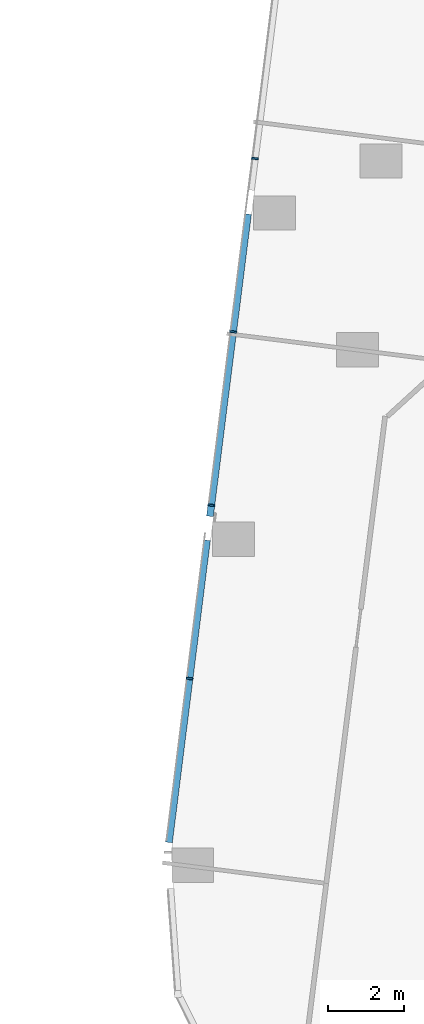
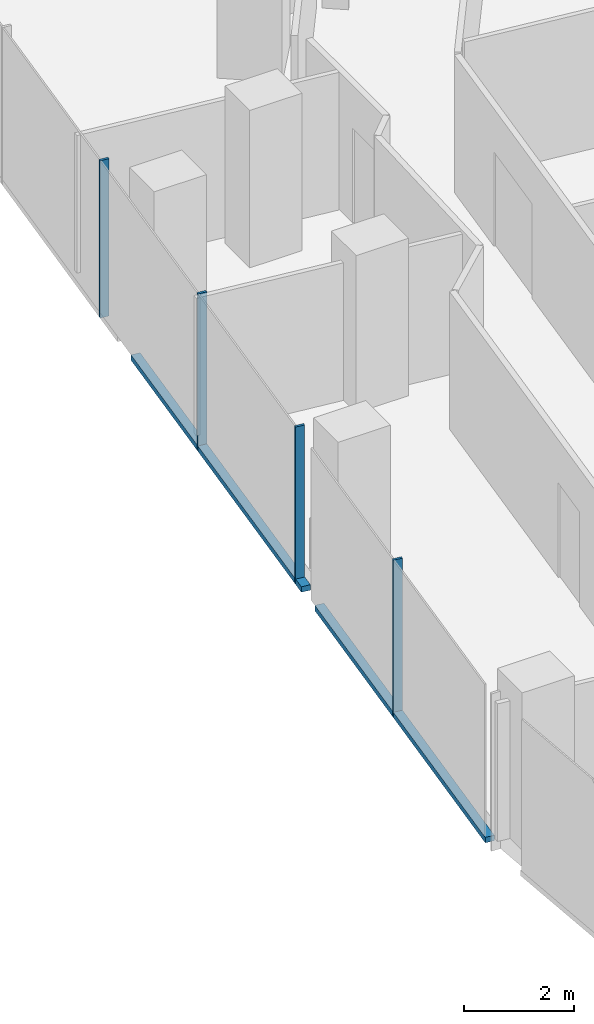
# One storey, part 3 of 27: 6 members, 1 element without a shape of its own.
"""IFC4 building model written with IfcOpenShell, lengths in metres."""

from ifc_helpers import new_model, si_unit, direction, frame, origin, origin_2d, place, context, subcontext, project, spatial, rectangle, extrude, material, material_profile, profile_set, type_object, element, aggregate, save


model = new_model("IFC4")

# Units and contexts
model_context = context("Model", 3, precision=1e-05, world=origin(), true_north=direction((0.0, 1.0)))
body_context = subcontext(model_context, "Body", "Model", "MODEL_VIEW")
ifc_project = project(units=[si_unit("LENGTHUNIT", "METRE"), si_unit("AREAUNIT", "SQUARE_METRE"), si_unit("VOLUMEUNIT", "CUBIC_METRE"), si_unit("PLANEANGLEUNIT", "RADIAN"), si_unit("MASSUNIT", "GRAM", prefix="KILO")], contexts=[model_context])

# Site, building, storey
site_placement = place(None, origin())
site = spatial("IfcSite", under=ifc_project, at=site_placement, CompositionType="ELEMENT")
building_placement = place(site_placement, origin())
building = spatial("IfcBuilding", under=site, at=building_placement, Name="Orlundy Tower", CompositionType="ELEMENT")
storey_placement = place(building_placement, frame((0.0, 0.0, 192.10009765625)))
storey = spatial("IfcBuildingStorey", under=building, at=storey_placement, Name="L50", CompositionType="ELEMENT", Elevation=192.10009765625)

# Curtain wall, members
ifc_material_1 = material(Name="Aluminium bronze anodised", Category="aluminium")
curtain_wall_type = type_object("IfcCurtainWallType", Name="CW1 wall", PredefinedType="NOTDEFINED", material=ifc_material_1)
curtain_wall_placement = place(storey_placement, origin())
curtain_wall = element("IfcCurtainWall", 1, at=curtain_wall_placement, inside=storey, type_object=curtain_wall_type, Name="CW1 run 00", PredefinedType="NOTDEFINED")
ifc_material_2 = material(Name="Aluminium bronze anodised", Category="aluminium")
ifc_material_profile_1 = material_profile(ifc_material_2, rectangle(XDim=0.179931640625, YDim=0.050048828125, at=origin_2d()), Name="CW1 mullion 50x180")
ifc_profile_set_1 = profile_set([ifc_material_profile_1], Name="Aluminium bronze anodised")
member_type_1 = type_object("IfcMemberType", Name="CW1 mullion 50x180", PredefinedType="MULLION", material=ifc_profile_set_1)
member_1_placement = place(storey_placement, frame((-25.598876953125, -42.550048828125, -0.420166015625), z_axis=(0.0, 0.0, 1.0), x_axis=(-0.992186526754, 0.124763360518, 0.0)))
member_1 = element("IfcMember", 2, at=member_1_placement, type_object=member_type_1, Name="CW1 mullion 2", PredefinedType="MULLION", context=body_context, shape_type="SweptSolid", body=[
    extrude(rectangle(XDim=0.179931640625, YDim=0.050048828125, at=origin_2d()), origin(), (0.0, 0.0, 1.0), 3.5),
])
member_2_placement = place(storey_placement, frame((-25.0263671875, -37.9970703125, -0.420166015625), z_axis=(0.0, 0.0, 1.0), x_axis=(-0.992186526754, 0.124763360518, 0.0)))
member_2 = element("IfcMember", 3, at=member_2_placement, type_object=member_type_1, Name="CW1 mullion 3", PredefinedType="MULLION", context=body_context, shape_type="SweptSolid", body=[
    extrude(rectangle(XDim=0.179931640625, YDim=0.050048828125, at=origin_2d()), origin(), (0.0, 0.0, 1.0), 3.5),
])
member_3_placement = place(storey_placement, frame((-24.453857421875, -33.4443359375, -0.420166015625), z_axis=(0.0, 0.0, 1.0), x_axis=(-0.992186526754, 0.124763360518, 0.0)))
member_3 = element("IfcMember", 4, at=member_3_placement, type_object=member_type_1, Name="CW1 mullion 4", PredefinedType="MULLION", context=body_context, shape_type="SweptSolid", body=[
    extrude(rectangle(XDim=0.179931640625, YDim=0.050048828125, at=origin_2d()), origin(), (0.0, 0.0, 1.0), 3.5),
])
member_4_placement = place(storey_placement, frame((-23.88134765625, -28.891357421875, -0.420166015625), z_axis=(0.0, 0.0, 1.0), x_axis=(-0.992186526754, 0.124763360518, 0.0)))
member_4 = element("IfcMember", 5, at=member_4_placement, type_object=member_type_1, Name="CW1 mullion 5", PredefinedType="MULLION", context=body_context, shape_type="SweptSolid", body=[
    extrude(rectangle(XDim=0.179931640625, YDim=0.050048828125, at=origin_2d()), origin(), (0.0, 0.0, 1.0), 3.5),
])
ifc_material_3 = material(Name="Aluminium bronze anodised", Category="aluminium")
ifc_material_profile_2 = material_profile(ifc_material_3, rectangle(XDim=0.179931640625, YDim=0.1201171875, at=origin_2d()), Name="CW1 transom 180x120")
ifc_profile_set_2 = profile_set([ifc_material_profile_2], Name="Aluminium bronze anodised")
member_type_2 = type_object("IfcMemberType", Name="CW1 transom 180x120", PredefinedType="USERDEFINED", material=ifc_profile_set_2)
member_5_placement = place(storey_placement, frame((-26.14013671875, -46.85400390625, -0.360107421875), z_axis=(0.124767189185, 0.992186045307, 0.0), x_axis=(-0.992186045307, 0.124767189185, 0.0)))
member_5 = element("IfcMember", 6, at=member_5_placement, type_object=member_type_2, Name="CW1 transom", ObjectType="TRANSOM", PredefinedType="USERDEFINED", context=body_context, shape_type="SweptSolid", body=[
    extrude(rectangle(XDim=0.179931640625, YDim=0.1201171875, at=origin_2d()), origin(), (0.0, 0.0, 1.0), 7.999267578125),
])
member_6_placement = place(storey_placement, frame((-25.06298828125, -38.2880859375, -0.360107421875), z_axis=(0.124782303734, 0.992184144539, 0.0), x_axis=(-0.992184144539, 0.124782303734, 0.0)))
member_6 = element("IfcMember", 7, at=member_6_placement, type_object=member_type_2, Name="CW1 transom", ObjectType="TRANSOM", PredefinedType="USERDEFINED", context=body_context, shape_type="SweptSolid", body=[
    extrude(rectangle(XDim=0.179931640625, YDim=0.1201171875, at=origin_2d()), origin(), (0.0, 0.0, 1.0), 7.998291015625),
])
aggregate(curtain_wall, [member_1, member_2, member_3, member_4, member_5, member_6])

save(model, "model.ifc")
